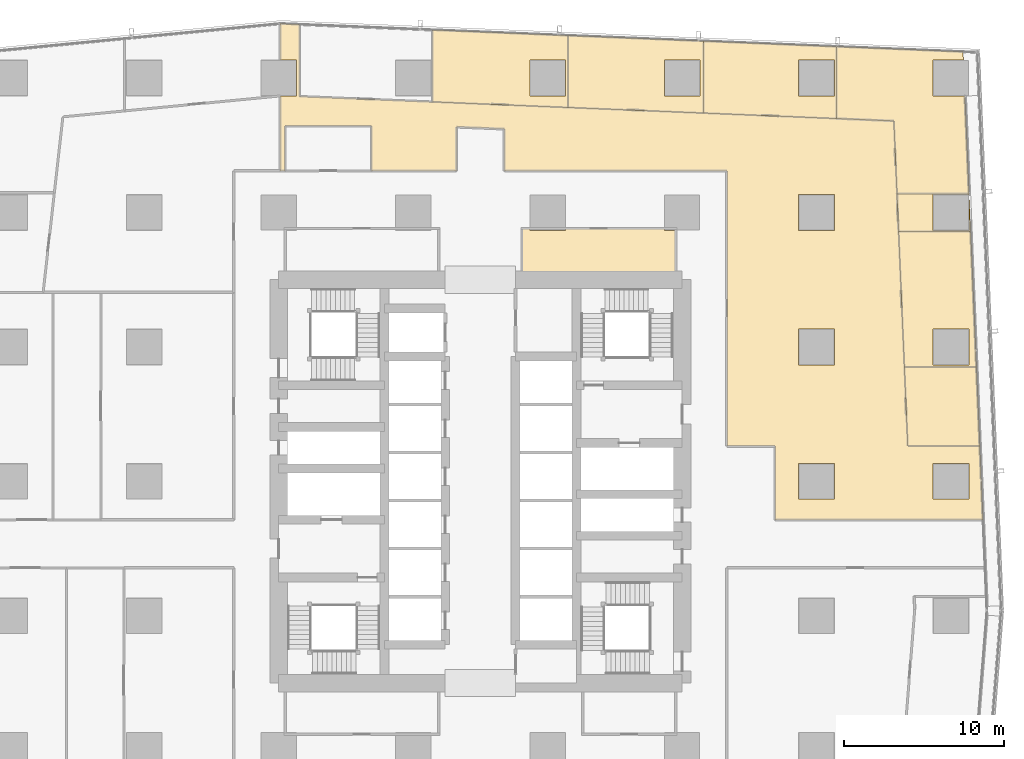
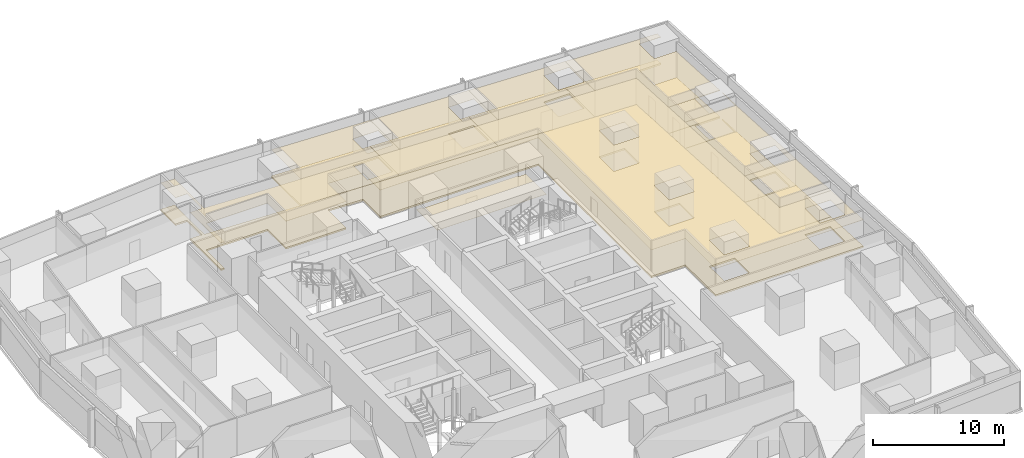
# One storey, part 45 of 45: 17 coverings.
"""IFC4 building model written with IfcOpenShell, lengths in metres."""

from ifc_helpers import new_model, si_unit, direction, frame, origin, place, context, subcontext, project, spatial, polyline, outline, extrude, material, layer, layer_set, type_object, element, save


model = new_model("IFC4")

# Units and contexts
model_context = context("Model", 3, precision=1e-05, world=origin(), true_north=direction((0.0, 1.0)))
body_context = subcontext(model_context, "Body", "Model", "MODEL_VIEW")
ifc_project = project(units=[si_unit("LENGTHUNIT", "METRE"), si_unit("AREAUNIT", "SQUARE_METRE"), si_unit("VOLUMEUNIT", "CUBIC_METRE"), si_unit("PLANEANGLEUNIT", "RADIAN"), si_unit("MASSUNIT", "GRAM", prefix="KILO")], contexts=[model_context])

# Site, building, storey
site_placement = place(None, origin())
site = spatial("IfcSite", under=ifc_project, at=site_placement, CompositionType="ELEMENT")
building_placement = place(site_placement, origin())
building = spatial("IfcBuilding", under=site, at=building_placement, Name="Rekha Terrace Tower", CompositionType="ELEMENT")
storey_placement = place(building_placement, frame((0.0, 0.0, 32.89990234375)))
storey = spatial("IfcBuildingStorey", under=building, at=storey_placement, Name="L07", CompositionType="ELEMENT", Elevation=32.89990234375)

# Coverings
ifc_material_1 = material(Name="Mineral fibre tile in exposed grid", Category="finish")
ifc_layer_1 = layer(ifc_material_1, 0.02001953125)
ifc_layer_set_1 = layer_set([ifc_layer_1], Name="Mineral fibre tile in exposed grid")
covering_type_1 = type_object("IfcCoveringType", Name="CL1 600x1200 office grid ceiling", PredefinedType="CEILING", material=ifc_layer_set_1)
covering_1_placement = place(storey_placement, frame((0.0, 0.0, 2.580078125)))
element("IfcCovering", 1, at=covering_1_placement, inside=storey, type_object=covering_type_1, Name="Ceiling L07-09", PredefinedType="CEILING", context=body_context, shape_type="SweptSolid", body=[
    extrude(outline(polyline([(68.7880859375, 40.735107421875), (64.283935546875, 40.735107421875), (64.4951171875, 35.799072265625), (68.9990234375, 35.799072265625), (68.7880859375, 40.735107421875)])), origin(), (0.0, 0.0, 1.0), 0.02001953125),
])
covering_2_placement = place(storey_placement, frame((0.0, 0.0, 2.580078125)))
element("IfcCovering", 2, at=covering_2_placement, inside=storey, type_object=covering_type_1, Name="Ceiling L07-10", PredefinedType="CEILING", context=body_context, shape_type="SweptSolid", body=[
    extrude(outline(polyline([(68.426025390625, 49.201904296875), (63.922119140625, 49.201904296875), (64.283935546875, 40.736083984375), (68.7880859375, 40.736083984375), (68.426025390625, 49.201904296875)]), holes=[polyline([(68.31494140625, 40.885009765625), (66.0849609375, 40.885009765625), (66.0849609375, 43.114990234375), (68.31494140625, 43.114990234375), (68.31494140625, 40.885009765625)])]), origin(), (0.0, 0.0, 1.0), 0.02001953125),
])
covering_3_placement = place(storey_placement, frame((0.0, 0.0, 2.580078125)))
element("IfcCovering", 3, at=covering_3_placement, inside=storey, type_object=covering_type_1, Name="Ceiling L07-11", PredefinedType="CEILING", context=body_context, shape_type="SweptSolid", body=[
    extrude(outline(polyline([(68.325927734375, 51.555908203125), (63.822021484375, 51.555908203125), (63.922119140625, 49.202880859375), (68.426025390625, 49.202880859375), (68.342041015625, 51.18408203125), (68.31494140625, 51.18310546875), (68.31494140625, 49.284912109375), (66.0849609375, 49.284912109375), (66.0849609375, 51.514892578125), (68.327880859375, 51.514892578125), (68.325927734375, 51.555908203125)])), origin(), (0.0, 0.0, 1.0), 0.02001953125),
])
covering_4_placement = place(storey_placement, frame((0.0, 0.0, 2.580078125)))
element("IfcCovering", 4, at=covering_4_placement, inside=storey, type_object=covering_type_1, Name="Ceiling L07-12", PredefinedType="CEILING", context=body_context, shape_type="SweptSolid", body=[
    extrude(outline(polyline([(60.0390625, 56.264892578125), (63.626953125, 56.116943359375), (63.822021484375, 51.556884765625), (68.325927734375, 51.556884765625), (68.06396484375, 57.68505859375), (66.0849609375, 57.68505859375), (66.0849609375, 59.9150390625), (67.968994140625, 59.9150390625), (67.946044921875, 60.443115234375), (60.0390625, 60.76904296875), (60.0390625, 56.264892578125)])), origin(), (0.0, 0.0, 1.0), 0.02001953125),
])
covering_5_placement = place(storey_placement, frame((0.0, 0.0, 2.580078125)))
element("IfcCovering", 5, at=covering_5_placement, inside=storey, type_object=covering_type_1, Name="Ceiling L07-13", PredefinedType="CEILING", context=body_context, shape_type="SweptSolid", body=[
    extrude(outline(polyline([(60.0380859375, 56.264892578125), (60.0380859375, 60.76904296875), (51.74609375, 61.111083984375), (51.74609375, 56.60693359375), (60.0380859375, 56.264892578125)]), holes=[polyline([(59.9150390625, 57.68505859375), (57.68505859375, 57.68505859375), (57.68505859375, 59.9150390625), (59.9150390625, 59.9150390625), (59.9150390625, 57.68505859375)])]), origin(), (0.0, 0.0, 1.0), 0.02001953125),
])
covering_6_placement = place(storey_placement, frame((0.0, 0.0, 2.580078125)))
element("IfcCovering", 6, at=covering_6_placement, inside=storey, type_object=covering_type_1, Name="Ceiling L07-14", PredefinedType="CEILING", context=body_context, shape_type="SweptSolid", body=[
    extrude(outline(polyline([(51.7451171875, 56.60693359375), (51.7451171875, 61.111083984375), (43.27294921875, 61.4599609375), (43.27294921875, 56.9560546875), (51.7451171875, 56.60693359375)]), holes=[polyline([(51.514892578125, 57.68505859375), (49.284912109375, 57.68505859375), (49.284912109375, 59.9150390625), (51.514892578125, 59.9150390625), (51.514892578125, 57.68505859375)])]), origin(), (0.0, 0.0, 1.0), 0.02001953125),
])
covering_7_placement = place(storey_placement, frame((0.0, 0.0, 2.580078125)))
element("IfcCovering", 7, at=covering_7_placement, inside=storey, type_object=covering_type_1, Name="Ceiling L07-15", PredefinedType="CEILING", context=body_context, shape_type="SweptSolid", body=[
    extrude(outline(polyline([(43.27197265625, 56.9560546875), (43.27197265625, 61.4599609375), (34.801025390625, 61.80908203125), (34.801025390625, 57.305908203125), (43.27197265625, 56.9560546875)]), holes=[polyline([(43.114990234375, 57.68505859375), (40.885009765625, 57.68505859375), (40.885009765625, 59.9150390625), (43.114990234375, 59.9150390625), (43.114990234375, 57.68505859375)])]), origin(), (0.0, 0.0, 1.0), 0.02001953125),
])
covering_8_placement = place(storey_placement, frame((0.0, 0.0, 2.580078125)))
element("IfcCovering", 8, at=covering_8_placement, inside=storey, type_object=covering_type_1, Name="Ceiling L07-O3", PredefinedType="CEILING", context=body_context, shape_type="SweptSolid", body=[
    extrude(outline(polyline([(43.27197265625, 56.9560546875), (34.800048828125, 57.305908203125), (26.510009765625, 57.64697265625), (26.510009765625, 62.15087890625), (25.325927734375, 62.199951171875), (25.291015625, 62.197021484375), (25.291015625, 59.9150390625), (26.31494140625, 59.9150390625), (26.31494140625, 57.68505859375), (25.291015625, 57.68505859375), (25.291015625, 53.0), (25.60009765625, 53.0), (25.60009765625, 55.794921875), (31.0, 55.794921875), (31.0, 53.0), (36.300048828125, 53.0), (36.300048828125, 55.742919921875), (39.300048828125, 55.618896484375), (39.300048828125, 53.0), (53.199951171875, 53.0), (53.199951171875, 35.800048828125), (56.199951171875, 35.800048828125), (56.199951171875, 31.199951171875), (69.195068359375, 31.199951171875), (69.091064453125, 33.64990234375), (69.091064453125, 33.65087890625), (68.9990234375, 35.799072265625), (64.4951171875, 35.799072265625), (64.282958984375, 40.7509765625), (63.9208984375, 49.218017578125), (63.821044921875, 51.572021484375), (63.626953125, 56.116943359375), (60.0380859375, 56.264892578125), (51.7451171875, 56.60693359375), (43.27197265625, 56.9560546875)]), holes=[polyline([(68.31494140625, 32.485107421875), (66.0849609375, 32.485107421875), (66.0849609375, 34.715087890625), (68.31494140625, 34.715087890625), (68.31494140625, 32.485107421875)]), polyline([(59.9150390625, 32.485107421875), (57.68505859375, 32.485107421875), (57.68505859375, 34.715087890625), (59.9150390625, 34.715087890625), (59.9150390625, 32.485107421875)]), polyline([(59.9150390625, 40.885009765625), (57.68505859375, 40.885009765625), (57.68505859375, 43.114990234375), (59.9150390625, 43.114990234375), (59.9150390625, 40.885009765625)]), polyline([(59.9150390625, 49.284912109375), (57.68505859375, 49.284912109375), (57.68505859375, 51.514892578125), (59.9150390625, 51.514892578125), (59.9150390625, 49.284912109375)])]), origin(), (0.0, 0.0, 1.0), 0.02001953125),
])
ifc_material_2 = material(Name="Fibre cement board", Category="finish")
ifc_layer_2 = layer(ifc_material_2, 0.014892578125)
ifc_layer_set_2 = layer_set([ifc_layer_2], Name="Fibre cement board")
covering_type_2 = type_object("IfcCoveringType", Name="CL2 moisture-resistant board ceiling", PredefinedType="CEILING", material=ifc_layer_set_2)
covering_9_placement = place(storey_placement, frame((0.0, 0.0, 2.585205078125)))
element("IfcCovering", 9, at=covering_9_placement, inside=storey, type_object=covering_type_2, Name="Ceiling L07-WCF", PredefinedType="CEILING", context=body_context, shape_type="SweptSolid", body=[
    extrude(outline(polyline([(40.885009765625, 49.39990234375), (40.39990234375, 49.39990234375), (40.39990234375, 46.199951171875), (50.0, 46.199951171875), (50.0, 49.284912109375), (49.284912109375, 49.284912109375), (49.284912109375, 49.39990234375), (43.114990234375, 49.39990234375), (43.114990234375, 49.284912109375), (40.885009765625, 49.284912109375), (40.885009765625, 49.39990234375)])), origin(), (0.0, 0.0, 1.0), 0.014892578125),
])
ifc_material_3 = material(Name="Calcium sulphate panels on steel pedestals", Category="steel")
ifc_layer_3 = layer(ifc_material_3, 0.14990234375)
ifc_layer_set_3 = layer_set([ifc_layer_3], Name="Calcium sulphate panels on steel pedestals")
covering_type_3 = type_object("IfcCoveringType", Name="RF1 150 raised access floor", PredefinedType="FLOORING", material=ifc_layer_set_3)
covering_10_placement = place(storey_placement, origin())
element("IfcCovering", 10, at=covering_10_placement, inside=storey, type_object=covering_type_3, Name="Raised floor L07-09", PredefinedType="FLOORING", context=body_context, shape_type="SweptSolid", body=[
    extrude(outline(polyline([(68.7880859375, 40.735107421875), (64.283935546875, 40.735107421875), (64.4951171875, 35.799072265625), (68.9990234375, 35.799072265625), (68.7880859375, 40.735107421875)])), origin(), (0.0, 0.0, 1.0), 0.150146484375),
])
covering_11_placement = place(storey_placement, origin())
element("IfcCovering", 11, at=covering_11_placement, inside=storey, type_object=covering_type_3, Name="Raised floor L07-10", PredefinedType="FLOORING", context=body_context, shape_type="SweptSolid", body=[
    extrude(outline(polyline([(68.426025390625, 49.201904296875), (63.922119140625, 49.201904296875), (64.283935546875, 40.736083984375), (68.7880859375, 40.736083984375), (68.426025390625, 49.201904296875)]), holes=[polyline([(68.31494140625, 40.885009765625), (66.0849609375, 40.885009765625), (66.0849609375, 43.114990234375), (68.31494140625, 43.114990234375), (68.31494140625, 40.885009765625)])]), origin(), (0.0, 0.0, 1.0), 0.150146484375),
])
covering_12_placement = place(storey_placement, origin())
element("IfcCovering", 12, at=covering_12_placement, inside=storey, type_object=covering_type_3, Name="Raised floor L07-11", PredefinedType="FLOORING", context=body_context, shape_type="SweptSolid", body=[
    extrude(outline(polyline([(68.325927734375, 51.555908203125), (63.822021484375, 51.555908203125), (63.922119140625, 49.202880859375), (68.426025390625, 49.202880859375), (68.342041015625, 51.18408203125), (68.31494140625, 51.18310546875), (68.31494140625, 49.284912109375), (66.0849609375, 49.284912109375), (66.0849609375, 51.514892578125), (68.327880859375, 51.514892578125), (68.325927734375, 51.555908203125)])), origin(), (0.0, 0.0, 1.0), 0.150146484375),
])
covering_13_placement = place(storey_placement, origin())
element("IfcCovering", 13, at=covering_13_placement, inside=storey, type_object=covering_type_3, Name="Raised floor L07-12", PredefinedType="FLOORING", context=body_context, shape_type="SweptSolid", body=[
    extrude(outline(polyline([(60.0390625, 56.264892578125), (63.626953125, 56.116943359375), (63.822021484375, 51.556884765625), (68.325927734375, 51.556884765625), (68.06396484375, 57.68505859375), (66.0849609375, 57.68505859375), (66.0849609375, 59.9150390625), (67.968994140625, 59.9150390625), (67.946044921875, 60.443115234375), (60.0390625, 60.76904296875), (60.0390625, 56.264892578125)])), origin(), (0.0, 0.0, 1.0), 0.150146484375),
])
covering_14_placement = place(storey_placement, origin())
element("IfcCovering", 14, at=covering_14_placement, inside=storey, type_object=covering_type_3, Name="Raised floor L07-13", PredefinedType="FLOORING", context=body_context, shape_type="SweptSolid", body=[
    extrude(outline(polyline([(60.0380859375, 56.264892578125), (60.0380859375, 60.76904296875), (51.74609375, 61.111083984375), (51.74609375, 56.60693359375), (60.0380859375, 56.264892578125)]), holes=[polyline([(59.9150390625, 57.68505859375), (57.68505859375, 57.68505859375), (57.68505859375, 59.9150390625), (59.9150390625, 59.9150390625), (59.9150390625, 57.68505859375)])]), origin(), (0.0, 0.0, 1.0), 0.150146484375),
])
covering_15_placement = place(storey_placement, origin())
element("IfcCovering", 15, at=covering_15_placement, inside=storey, type_object=covering_type_3, Name="Raised floor L07-14", PredefinedType="FLOORING", context=body_context, shape_type="SweptSolid", body=[
    extrude(outline(polyline([(51.7451171875, 56.60693359375), (51.7451171875, 61.111083984375), (43.27294921875, 61.4599609375), (43.27294921875, 56.9560546875), (51.7451171875, 56.60693359375)]), holes=[polyline([(51.514892578125, 57.68505859375), (49.284912109375, 57.68505859375), (49.284912109375, 59.9150390625), (51.514892578125, 59.9150390625), (51.514892578125, 57.68505859375)])]), origin(), (0.0, 0.0, 1.0), 0.150146484375),
])
covering_16_placement = place(storey_placement, origin())
element("IfcCovering", 16, at=covering_16_placement, inside=storey, type_object=covering_type_3, Name="Raised floor L07-15", PredefinedType="FLOORING", context=body_context, shape_type="SweptSolid", body=[
    extrude(outline(polyline([(43.27197265625, 56.9560546875), (43.27197265625, 61.4599609375), (34.801025390625, 61.80908203125), (34.801025390625, 57.305908203125), (43.27197265625, 56.9560546875)]), holes=[polyline([(43.114990234375, 57.68505859375), (40.885009765625, 57.68505859375), (40.885009765625, 59.9150390625), (43.114990234375, 59.9150390625), (43.114990234375, 57.68505859375)])]), origin(), (0.0, 0.0, 1.0), 0.150146484375),
])
covering_17_placement = place(storey_placement, origin())
element("IfcCovering", 17, at=covering_17_placement, inside=storey, type_object=covering_type_3, Name="Raised floor L07-O3", PredefinedType="FLOORING", context=body_context, shape_type="SweptSolid", body=[
    extrude(outline(polyline([(43.27197265625, 56.9560546875), (34.800048828125, 57.305908203125), (26.510009765625, 57.64697265625), (26.510009765625, 62.15087890625), (25.325927734375, 62.199951171875), (25.291015625, 62.197021484375), (25.291015625, 59.9150390625), (26.31494140625, 59.9150390625), (26.31494140625, 57.68505859375), (25.291015625, 57.68505859375), (25.291015625, 53.0), (25.60009765625, 53.0), (25.60009765625, 55.794921875), (31.0, 55.794921875), (31.0, 53.0), (36.300048828125, 53.0), (36.300048828125, 55.742919921875), (39.300048828125, 55.618896484375), (39.300048828125, 53.0), (53.199951171875, 53.0), (53.199951171875, 35.800048828125), (56.199951171875, 35.800048828125), (56.199951171875, 31.199951171875), (69.195068359375, 31.199951171875), (69.091064453125, 33.64990234375), (69.091064453125, 33.65087890625), (68.9990234375, 35.799072265625), (64.4951171875, 35.799072265625), (64.282958984375, 40.7509765625), (63.9208984375, 49.218017578125), (63.821044921875, 51.572021484375), (63.626953125, 56.116943359375), (60.0380859375, 56.264892578125), (51.7451171875, 56.60693359375), (43.27197265625, 56.9560546875)]), holes=[polyline([(68.31494140625, 32.485107421875), (66.0849609375, 32.485107421875), (66.0849609375, 34.715087890625), (68.31494140625, 34.715087890625), (68.31494140625, 32.485107421875)]), polyline([(59.9150390625, 32.485107421875), (57.68505859375, 32.485107421875), (57.68505859375, 34.715087890625), (59.9150390625, 34.715087890625), (59.9150390625, 32.485107421875)]), polyline([(59.9150390625, 40.885009765625), (57.68505859375, 40.885009765625), (57.68505859375, 43.114990234375), (59.9150390625, 43.114990234375), (59.9150390625, 40.885009765625)]), polyline([(59.9150390625, 49.284912109375), (57.68505859375, 49.284912109375), (57.68505859375, 51.514892578125), (59.9150390625, 51.514892578125), (59.9150390625, 49.284912109375)])]), origin(), (0.0, 0.0, 1.0), 0.150146484375),
])

save(model, "model.ifc")
